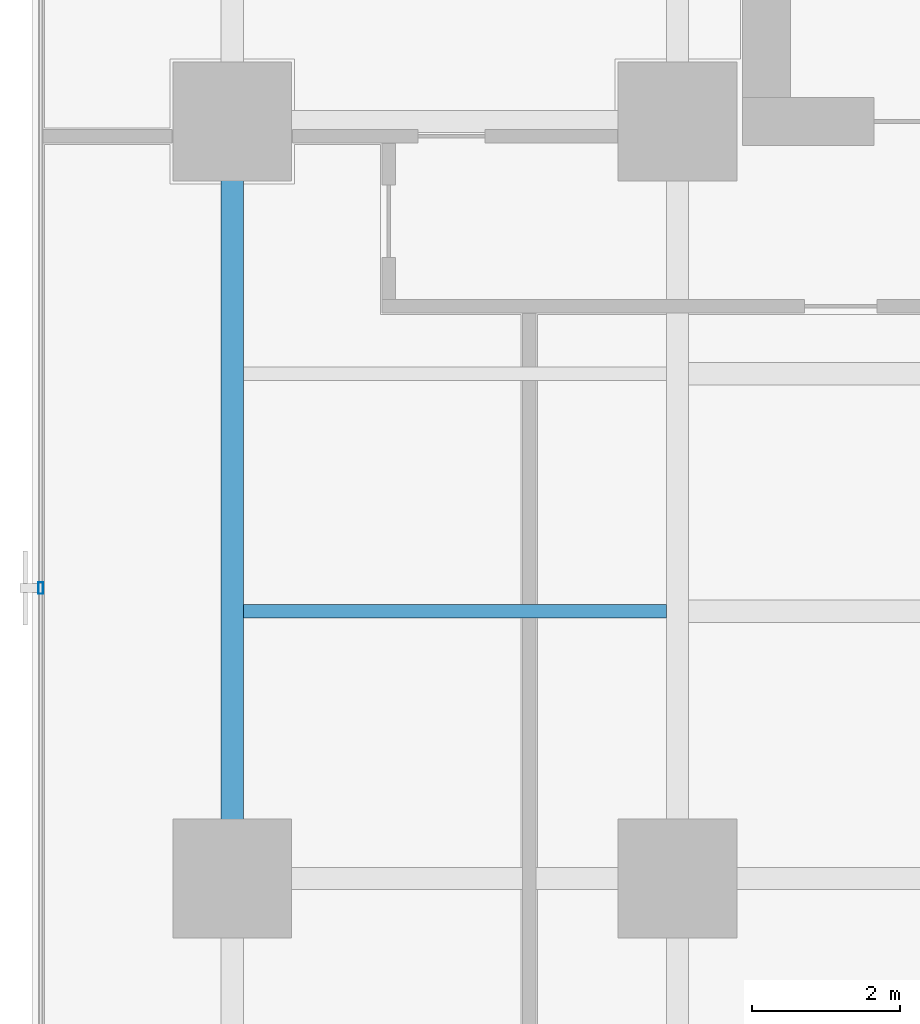
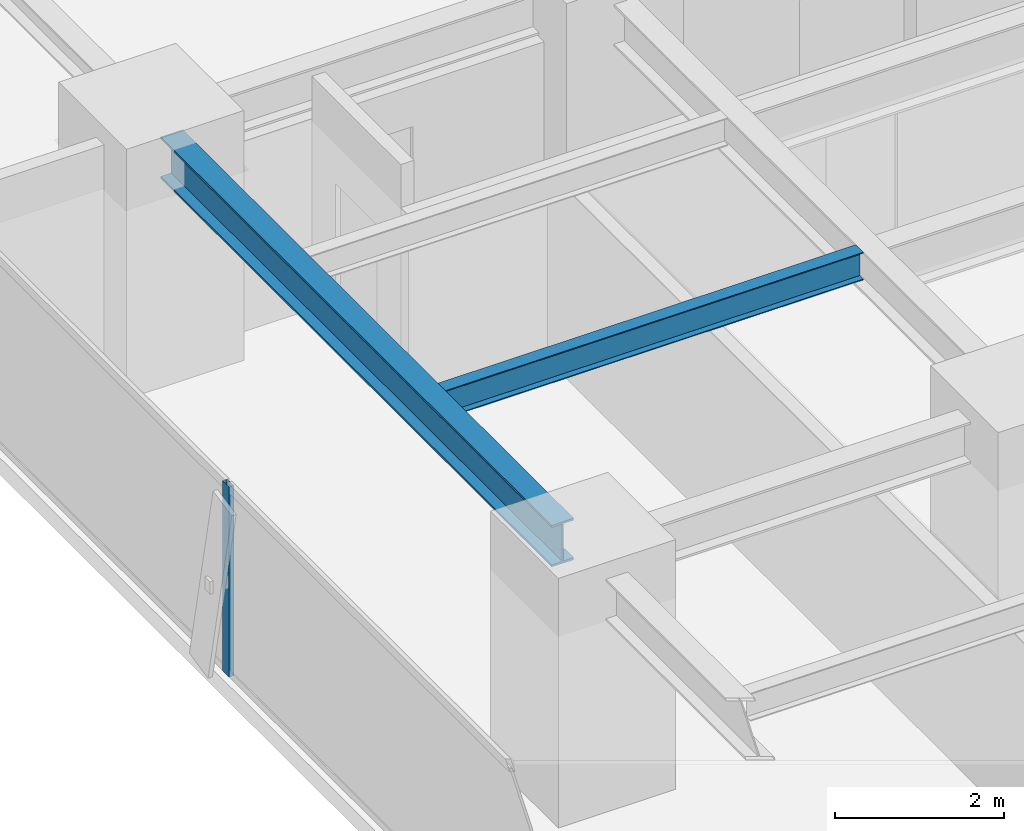
# One storey, part 10 of 37: 2 beams, 1 member, 1 element without a shape of its own.
"""IFC4 building model written with IfcOpenShell, lengths in metres."""

import ifcopenshell
import ifcopenshell.guid

model = None  # the IFC model being written
_history = None  # IfcOwnerHistory: only IFC2X3 demands one
_inside = {}  # id of a spatial element -> (the spatial element, [elements in it])
_under = {}  # id of a project, library or spatial element -> (it, [spatial elements below it])
_declared = {}  # id of a project -> (the project, [libraries it declares])
_typed = {}  # id of a type object -> (the type object, [elements of that type])
_made_of = {}  # id of a material, layer set ... -> (it, [elements and type objects made of it])


def new_model(schema):
    """Start an empty IFC model of exactly this schema.

    Asked for "IFC4X3", IfcOpenShell would pick the latest addendum, in which some entities
    have other attributes; the version numbers below select the first issue.
    IFC2X3 requires an IfcOwnerHistory on every rooted entity: one is made here for all.
    """
    global model, _history
    if schema == "IFC4X3":
        model = ifcopenshell.file(schema_version=(4, 3, 0, 0))
    else:
        model = ifcopenshell.file(schema=schema)
    _inside.clear()
    _under.clear()
    _declared.clear()
    _typed.clear()
    _made_of.clear()
    _history = None
    if model.schema == "IFC2X3":
        org = make("IfcOrganization", Name="unknown")
        user = make(
            "IfcPersonAndOrganization",
            ThePerson=make("IfcPerson", FamilyName="unknown"),
            TheOrganization=org,
        )
        app = make(
            "IfcApplication",
            ApplicationDeveloper=org,
            Version="unknown",
            ApplicationFullName="unknown",
            ApplicationIdentifier="unknown",
        )
        _history = make(
            "IfcOwnerHistory",
            OwningUser=user,
            OwningApplication=app,
            ChangeAction="ADDED",
            CreationDate=0,
        )
    return model


def make(cls, **values):
    """One entity of the class cls with the attributes given. An attribute that is None is left unset."""
    return model.create_entity(
        cls, **{name: value for name, value in values.items() if value is not None}
    )


def rooted(cls, **values):
    """An entity with a GlobalId (a new one), such as an element, a storey or a relation."""
    return make(cls, GlobalId=ifcopenshell.guid.new(), OwnerHistory=_history, **values)


def si_unit(unit_type, name, prefix=None):
    """IfcSIUnit, for example si_unit("LENGTHUNIT", "METRE", prefix="MILLI")."""
    return make("IfcSIUnit", UnitType=unit_type, Prefix=prefix, Name=name)


def assignment(units):
    """IfcUnitAssignment: the units of a project."""
    return None if units is None else make("IfcUnitAssignment", Units=units)


def point(xyz):
    """IfcCartesianPoint."""
    return None if xyz is None else make("IfcCartesianPoint", Coordinates=xyz)


def direction(xyz):
    """IfcDirection."""
    return None if xyz is None else make("IfcDirection", DirectionRatios=xyz)


def frame(location, z_axis=None, x_axis=None):
    """IfcAxis2Placement3D, a coordinate frame: its origin and axes. An axis left out is left unset."""
    return make(
        "IfcAxis2Placement3D",
        Location=point(location),
        Axis=direction(z_axis),
        RefDirection=direction(x_axis),
    )


def frame_2d(location, x_axis=None):
    """IfcAxis2Placement2D, a coordinate frame in the plane: its origin and x axis."""
    return make(
        "IfcAxis2Placement2D", Location=point(location), RefDirection=direction(x_axis)
    )


def origin():
    """The frame at (0, 0, 0) with its axes left unset."""
    return frame((0.0, 0.0, 0.0))


def origin_2d():
    """The frame at (0, 0) in the plane with its x axis left unset."""
    return frame_2d((0.0, 0.0))


def place(relative_to, where):
    """IfcLocalPlacement: puts the frame where relative to a parent placement (None: the world)."""
    return make(
        "IfcLocalPlacement", PlacementRelTo=relative_to, RelativePlacement=where
    )


def context(
    kind, dimensions, precision=None, world=None, true_north=None, identifier=None
):
    """IfcGeometricRepresentationContext, for example the 3D "Model" context."""
    return make(
        "IfcGeometricRepresentationContext",
        ContextIdentifier=identifier,
        ContextType=kind,
        CoordinateSpaceDimension=dimensions,
        Precision=precision,
        WorldCoordinateSystem=world,
        TrueNorth=true_north,
    )


def subcontext(parent, identifier, kind, view, scale=None):
    """IfcGeometricRepresentationSubContext, for example "Body" below "Model"."""
    return make(
        "IfcGeometricRepresentationSubContext",
        ContextIdentifier=identifier,
        ContextType=kind,
        ParentContext=parent,
        TargetScale=scale,
        TargetView=view,
    )


def project(units=None, contexts=None):
    """IfcProject with its units and contexts."""
    return rooted(
        "IfcProject",
        Name="project",
        RepresentationContexts=contexts,
        UnitsInContext=assignment(units),
    )


def spatial(cls, under=None, at=None, **own):
    """A site, building, storey or space (cls), placed at a placement, below another one or the project."""
    s = rooted(cls, ObjectPlacement=at, **own)
    if under is not None:
        _under.setdefault(under.id(), (under, []))[1].append(s)
    return s


def profile(cls, at=None, kind="AREA", **sizes):
    """A parametric profile (cls). Its sizes go by their IFC names, for example OverallWidth=200.0."""
    return make(cls, ProfileType=kind, Position=at, **sizes)


def hollow_rectangle(**sizes):
    """IfcRectangleHollowProfileDef."""
    return profile("IfcRectangleHollowProfileDef", **sizes)


def i_section(**sizes):
    """IfcIShapeProfileDef."""
    return profile("IfcIShapeProfileDef", **sizes)


def extrude(swept, where, along, depth):
    """IfcExtrudedAreaSolid: the profile swept, set in the frame where, extruded along a direction by depth."""
    return make(
        "IfcExtrudedAreaSolid",
        SweptArea=swept,
        Position=where,
        ExtrudedDirection=direction(along),
        Depth=depth,
    )


def shape(context_of_items, identifier, shape_type, items):
    """IfcShapeRepresentation: the items that make up one representation, for example the "Body"."""
    return make(
        "IfcShapeRepresentation",
        ContextOfItems=context_of_items,
        RepresentationIdentifier=identifier,
        RepresentationType=shape_type,
        Items=items,
    )


def source(mapping_origin, context_of_items, identifier, shape_type, items):
    """IfcRepresentationMap: a shape defined once, which mapped items show again and again."""
    return make(
        "IfcRepresentationMap",
        MappingOrigin=mapping_origin,
        MappedRepresentation=shape(context_of_items, identifier, shape_type, items),
    )


def transform(
    local_origin,
    x_axis=None,
    y_axis=None,
    z_axis=None,
    scale=None,
    scale2=None,
    scale3=None,
    uniform=True,
):
    """IfcCartesianTransformationOperator3D, or its non-uniform kind. x_axis, y_axis, z_axis: its Axis1, 2, 3."""
    if uniform:
        return make(
            "IfcCartesianTransformationOperator3D",
            Axis1=direction(x_axis),
            Axis2=direction(y_axis),
            LocalOrigin=point(local_origin),
            Scale=scale,
            Axis3=direction(z_axis),
        )
    return make(
        "IfcCartesianTransformationOperator3DnonUniform",
        Axis1=direction(x_axis),
        Axis2=direction(y_axis),
        LocalOrigin=point(local_origin),
        Scale=scale,
        Axis3=direction(z_axis),
        Scale2=scale2,
        Scale3=scale3,
    )


def mapped(mapping_source, mapping_target):
    """IfcMappedItem: shows the shape of a source again, moved by a transform."""
    return make(
        "IfcMappedItem", MappingSource=mapping_source, MappingTarget=mapping_target
    )


def material(Name=None, Category=None):
    """IfcMaterial."""
    return make("IfcMaterial", Name=Name, Category=Category)


def layer(
    of_material, thickness, ventilated=None, Name=None, Category=None, Priority=None
):
    """IfcMaterialLayer: one layer of a wall or slab, of a material (None: an air gap)."""
    return make(
        "IfcMaterialLayer",
        Material=of_material,
        LayerThickness=thickness,
        IsVentilated=ventilated,
        Name=Name,
        Category=Category,
        Priority=Priority,
    )


def layer_set(layers, Name=None):
    """IfcMaterialLayerSet."""
    return make("IfcMaterialLayerSet", MaterialLayers=layers, LayerSetName=Name)


def material_profile(
    of_material, cross_section, Name=None, Category=None, Priority=None
):
    """IfcMaterialProfile: a cross section and its material."""
    return make(
        "IfcMaterialProfile",
        Name=Name,
        Material=of_material,
        Profile=cross_section,
        Priority=Priority,
        Category=Category,
    )


def profile_set(profiles, Name=None, composite=None):
    """IfcMaterialProfileSet."""
    return make(
        "IfcMaterialProfileSet",
        Name=Name,
        MaterialProfiles=profiles,
        CompositeProfile=composite,
    )


def made_of(thing, what):
    """Note that an element or type object is made of a material, layer set ...; save() writes the relation."""
    if what is not None:
        _made_of.setdefault(what.id(), (what, []))[1].append(thing)
    return thing


def type_object(cls, material=None, **own):
    """A type object (cls), such as IfcWallType, which elements share."""
    return made_of(rooted(cls, **own), material)


def element(
    cls,
    number,
    at=None,
    inside=None,
    cuts=None,
    type_object=None,
    material=None,
    context=None,
    identifier="Body",
    shape_type=None,
    held_by="IfcProductDefinitionShape",
    body=None,
    shapes=None,
    **own,
):
    """One element of the class cls, such as IfcWall. Its Tag is "e" and its number.

    at: its placement. inside: the storey or other place that contains it. cuts: it is an
    opening in that element (IfcRelVoidsElement). A single representation is given by context,
    identifier, shape_type and body (its items); several are given by shapes. held_by: the class
    of the entity that holds the representations. save() writes the other relations.
    """
    e = rooted(cls, Tag="e%d" % number, ObjectPlacement=at, **own)
    if body is not None:
        shapes = [shape(context, identifier, shape_type, body)]
    if shapes is not None:
        e.Representation = make(held_by, Representations=shapes)
    if inside is not None:
        _inside.setdefault(inside.id(), (inside, []))[1].append(e)
    if cuts is not None:
        rooted(
            "IfcRelVoidsElement", RelatingBuildingElement=cuts, RelatedOpeningElement=e
        )
    if type_object is not None:
        _typed.setdefault(type_object.id(), (type_object, []))[1].append(e)
    return made_of(e, material)


def aggregate(whole, parts):
    """IfcRelAggregates: a whole, such as a stair, and the parts it consists of."""
    return rooted("IfcRelAggregates", RelatingObject=whole, RelatedObjects=parts)


def save(model, path):
    """Write the relations noted so far, then the file.

    IfcRelAggregates (storeys below a building ...), IfcRelContainedInSpatialStructure (elements
    in a storey), IfcRelDefinesByType, IfcRelAssociatesMaterial and IfcRelDeclares: one each for
    every whole, place, type object, material and project.
    """
    for whole, parts in _under.values():
        aggregate(whole, parts)
    for where, things in _inside.values():
        rooted(
            "IfcRelContainedInSpatialStructure",
            RelatedElements=things,
            RelatingStructure=where,
        )
    for kind, things in _typed.values():
        rooted("IfcRelDefinesByType", RelatedObjects=things, RelatingType=kind)
    for what, things in _made_of.values():
        rooted("IfcRelAssociatesMaterial", RelatedObjects=things, RelatingMaterial=what)
    for by, libraries in _declared.values():
        rooted("IfcRelDeclares", RelatingContext=by, RelatedDefinitions=libraries)
    model.write(path)


model = new_model("IFC4")

# Units and contexts
model_context = context("Model", 3, precision=1e-05, world=origin(), true_north=direction((0.0, 1.0)))
body_context = subcontext(model_context, "Body", "Model", "MODEL_VIEW")
ifc_project = project(units=[si_unit("LENGTHUNIT", "METRE"), si_unit("AREAUNIT", "SQUARE_METRE"), si_unit("VOLUMEUNIT", "CUBIC_METRE"), si_unit("PLANEANGLEUNIT", "RADIAN"), si_unit("MASSUNIT", "GRAM", prefix="KILO")], contexts=[model_context])

# Site, building, storey
site_placement = place(None, origin())
site = spatial("IfcSite", under=ifc_project, at=site_placement, CompositionType="ELEMENT")
building_placement = place(site_placement, origin())
building = spatial("IfcBuilding", under=site, at=building_placement, Name="Sumidabori Civic Tower", CompositionType="ELEMENT")
storey_placement = place(building_placement, frame((0.0, 0.0, 117.199951171875)))
storey = spatial("IfcBuildingStorey", under=building, at=storey_placement, Name="L30", CompositionType="ELEMENT", Elevation=117.199951171875)

# Beams
ifc_material_1 = material(Name="Steel SN490", Category="steel")
ifc_material_profile_1 = material_profile(ifc_material_1, i_section(OverallWidth=0.300048828125, OverallDepth=0.60009765625, WebThickness=0.015380859375, FlangeThickness=0.030029296875, at=origin_2d()), Name="HE 600 B")
ifc_profile_set_1 = profile_set([ifc_material_profile_1], Name="Steel SN490")
beam_type_1 = type_object("IfcBeamType", Name="BM-GIRD-600", PredefinedType="BEAM", material=ifc_profile_set_1)
shared_shape_1 = source(origin(), body_context, "Body", "SweptSolid", [
    extrude(i_section(OverallWidth=0.300048828125, OverallDepth=0.60009765625, WebThickness=0.015380859375, FlangeThickness=0.030029296875, at=origin_2d()), origin(), (0.0, 0.0, 1.0), 9.239990234375),
])
beam_1_placement = place(storey_placement, frame((-22.800048828125, 0.47998046875, 3.06005859375), z_axis=(0.0, 1.0, 0.0), x_axis=(-1.0, 0.0, 0.0)))
element("IfcBeam", 1, at=beam_1_placement, inside=storey, type_object=beam_type_1, Name="Primary Girder L30 GY-23", PredefinedType="BEAM", context=body_context, shape_type="MappedRepresentation", body=[
    mapped(shared_shape_1, transform((0.0, 0.0, 0.0), x_axis=(1.0, 0.0, 0.0), y_axis=(0.0, 1.0, 0.0), z_axis=(0.0, 0.0, 1.0), scale=1.0)),
])
ifc_material_profile_2 = material_profile(ifc_material_1, i_section(OverallWidth=0.179931640625, OverallDepth=0.39990234375, WebThickness=0.008544921875, FlangeThickness=0.013427734375, at=origin_2d()), Name="IPE 400")
ifc_profile_set_2 = profile_set([ifc_material_profile_2], Name="Steel SN490")
beam_type_2 = type_object("IfcBeamType", Name="BM-JST-400", PredefinedType="JOIST", material=ifc_profile_set_2)
shared_shape_2 = source(origin(), body_context, "Body", "SweptSolid", [
    extrude(i_section(OverallWidth=0.179931640625, OverallDepth=0.39990234375, WebThickness=0.008544921875, FlangeThickness=0.013427734375, at=origin_2d()), origin(), (0.0, 0.0, 1.0), 5.699951171875),
])
beam_2_placement = place(storey_placement, frame((-22.64990234375, 3.60009765625, 3.16015625), z_axis=(1.0, 0.0, 0.0), x_axis=(0.0, 1.0, 0.0)))
element("IfcBeam", 2, at=beam_2_placement, inside=storey, type_object=beam_type_2, Name="Outer Bay Floor Joist L30 JSTO-47", PredefinedType="JOIST", context=body_context, shape_type="MappedRepresentation", body=[
    mapped(shared_shape_2, transform((0.0, 0.0, 0.0), x_axis=(1.0, 0.0, 0.0), y_axis=(0.0, 1.0, 0.0), z_axis=(0.0, 0.0, 1.0), scale=1.0)),
])

# Curtain wall, member
ifc_material_2 = material(Name="Anodised Bronze Aluminium AW-6063-T6", Category="aluminium")
ifc_layer = layer(ifc_material_2, 0.179931640625, Name="Anodised Bronze Aluminium AW-6063-T6")
ifc_layer_set = layer_set([ifc_layer], Name="Anodised Bronze Aluminium AW-6063-T6")
curtain_wall_type = type_object("IfcCurtainWallType", Name="CW-SYS-3", PredefinedType="NOTDEFINED", material=ifc_layer_set)
curtain_wall_placement = place(storey_placement, origin())
curtain_wall = element("IfcCurtainWall", 3, at=curtain_wall_placement, inside=storey, type_object=curtain_wall_type, Name="Curtain Wall CW:L30:R10", PredefinedType="NOTDEFINED")
ifc_material_profile_3 = material_profile(ifc_material_2, hollow_rectangle(XDim=0.06494140625, YDim=0.159912109375, WallThickness=0.0048828125, at=origin_2d()), Name="ALU MULLION 160x65")
ifc_profile_set_3 = profile_set([ifc_material_profile_3], Name="Anodised Bronze Aluminium AW-6063-T6")
member_type = type_object("IfcMemberType", Name="CW-MUL-160", PredefinedType="MULLION", material=ifc_profile_set_3)
shared_shape_3 = source(origin(), body_context, "Body", "SweptSolid", [
    extrude(hollow_rectangle(XDim=0.06494140625, YDim=0.159912109375, WallThickness=0.0048828125, at=origin_2d()), origin(), (0.0, 0.0, 1.0), 2.739990234375),
])
member_placement = place(storey_placement, frame((-25.3798828125, 3.9140625, 0.0), z_axis=(0.0, 0.0, 1.0), x_axis=(1.0, 0.0, 0.0)))
member = element("IfcMember", 4, at=member_placement, type_object=member_type, Name="CW-3 mullion 3", PredefinedType="MULLION", context=body_context, shape_type="MappedRepresentation", body=[
    mapped(shared_shape_3, transform((0.0, 0.0, 0.0), x_axis=(1.0, 0.0, 0.0), y_axis=(0.0, 1.0, 0.0), z_axis=(0.0, 0.0, 1.0), scale=1.0)),
])
aggregate(curtain_wall, [member])

save(model, "model.ifc")
